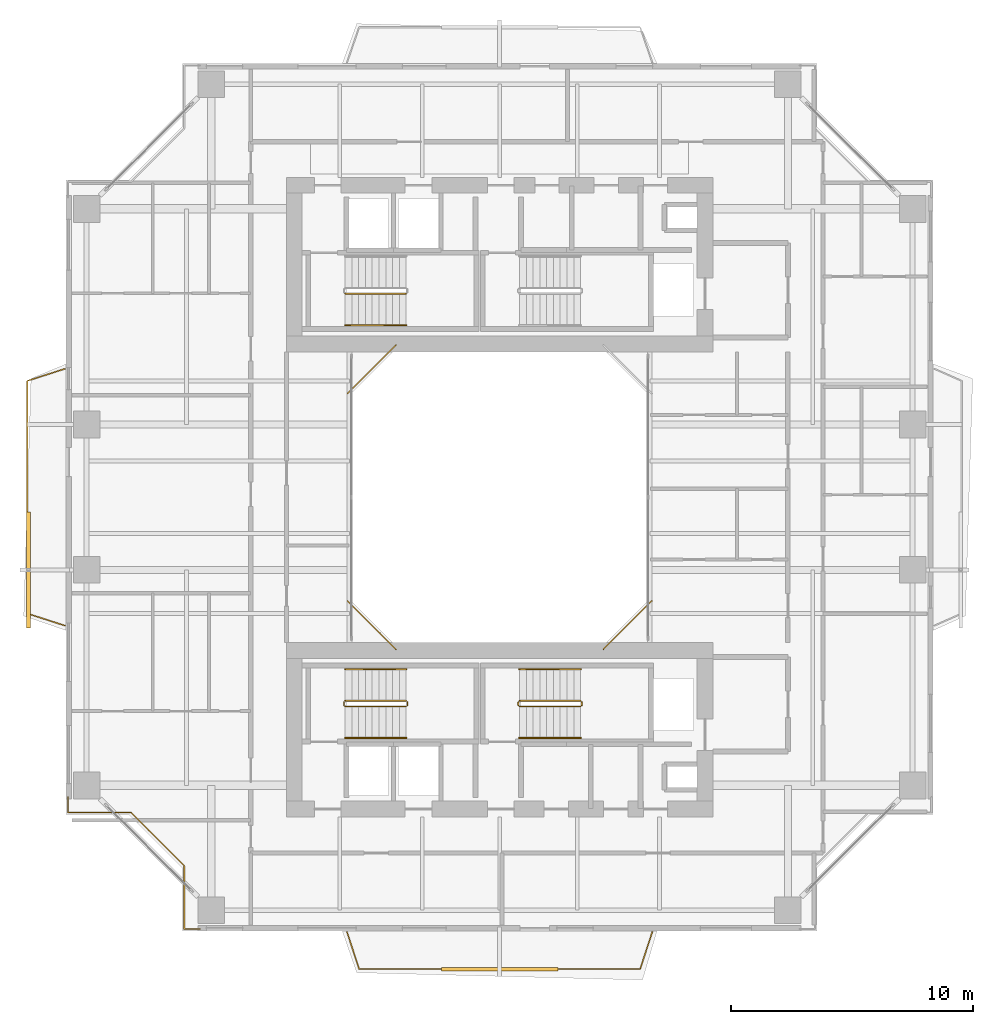
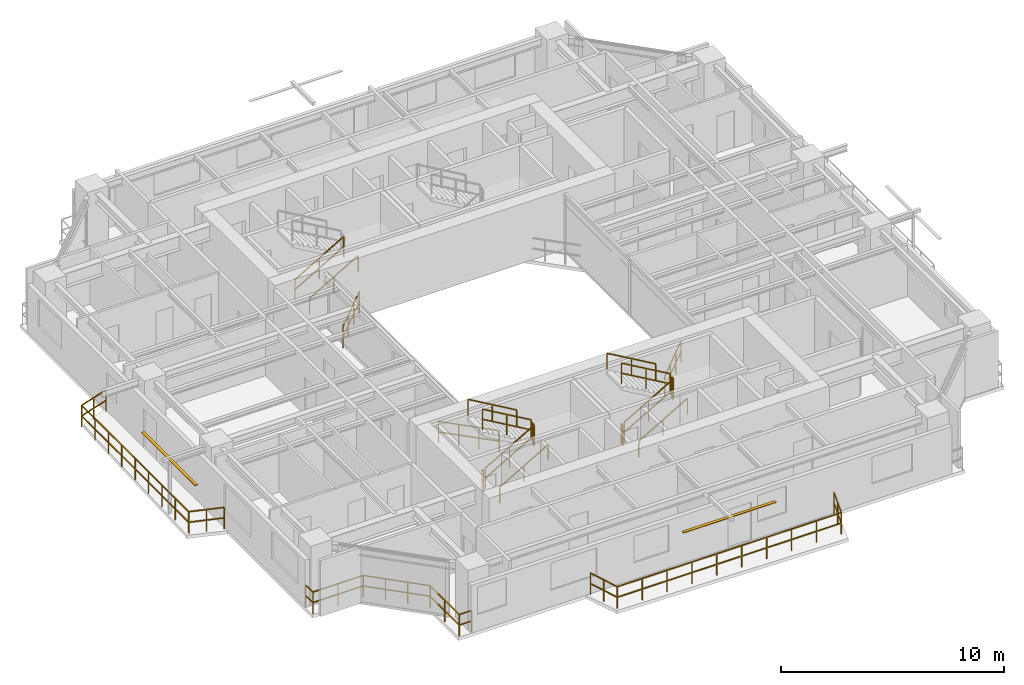
# One storey, part 15 of 17: 20 railings, 2 shading devices.
"""IFC4 building model written with IfcOpenShell, lengths in metres."""

import ifcopenshell
import ifcopenshell.guid

model = None  # the IFC model being written
_history = None  # IfcOwnerHistory: only IFC2X3 demands one
_inside = {}  # id of a spatial element -> (the spatial element, [elements in it])
_under = {}  # id of a project, library or spatial element -> (it, [spatial elements below it])
_declared = {}  # id of a project -> (the project, [libraries it declares])
_typed = {}  # id of a type object -> (the type object, [elements of that type])
_made_of = {}  # id of a material, layer set ... -> (it, [elements and type objects made of it])


def new_model(schema):
    """Start an empty IFC model of exactly this schema.

    Asked for "IFC4X3", IfcOpenShell would pick the latest addendum, in which some entities
    have other attributes; the version numbers below select the first issue.
    IFC2X3 requires an IfcOwnerHistory on every rooted entity: one is made here for all.
    """
    global model, _history
    if schema == "IFC4X3":
        model = ifcopenshell.file(schema_version=(4, 3, 0, 0))
    else:
        model = ifcopenshell.file(schema=schema)
    _inside.clear()
    _under.clear()
    _declared.clear()
    _typed.clear()
    _made_of.clear()
    _history = None
    if model.schema == "IFC2X3":
        org = make("IfcOrganization", Name="unknown")
        user = make(
            "IfcPersonAndOrganization",
            ThePerson=make("IfcPerson", FamilyName="unknown"),
            TheOrganization=org,
        )
        app = make(
            "IfcApplication",
            ApplicationDeveloper=org,
            Version="unknown",
            ApplicationFullName="unknown",
            ApplicationIdentifier="unknown",
        )
        _history = make(
            "IfcOwnerHistory",
            OwningUser=user,
            OwningApplication=app,
            ChangeAction="ADDED",
            CreationDate=0,
        )
    return model


def make(cls, **values):
    """One entity of the class cls with the attributes given. An attribute that is None is left unset."""
    return model.create_entity(
        cls, **{name: value for name, value in values.items() if value is not None}
    )


def rooted(cls, **values):
    """An entity with a GlobalId (a new one), such as an element, a storey or a relation."""
    return make(cls, GlobalId=ifcopenshell.guid.new(), OwnerHistory=_history, **values)


def si_unit(unit_type, name, prefix=None):
    """IfcSIUnit, for example si_unit("LENGTHUNIT", "METRE", prefix="MILLI")."""
    return make("IfcSIUnit", UnitType=unit_type, Prefix=prefix, Name=name)


def assignment(units):
    """IfcUnitAssignment: the units of a project."""
    return None if units is None else make("IfcUnitAssignment", Units=units)


def point(xyz):
    """IfcCartesianPoint."""
    return None if xyz is None else make("IfcCartesianPoint", Coordinates=xyz)


def direction(xyz):
    """IfcDirection."""
    return None if xyz is None else make("IfcDirection", DirectionRatios=xyz)


def frame(location, z_axis=None, x_axis=None):
    """IfcAxis2Placement3D, a coordinate frame: its origin and axes. An axis left out is left unset."""
    return make(
        "IfcAxis2Placement3D",
        Location=point(location),
        Axis=direction(z_axis),
        RefDirection=direction(x_axis),
    )


def frame_2d(location, x_axis=None):
    """IfcAxis2Placement2D, a coordinate frame in the plane: its origin and x axis."""
    return make(
        "IfcAxis2Placement2D", Location=point(location), RefDirection=direction(x_axis)
    )


def origin():
    """The frame at (0, 0, 0) with its axes left unset."""
    return frame((0.0, 0.0, 0.0))


def origin_2d():
    """The frame at (0, 0) in the plane with its x axis left unset."""
    return frame_2d((0.0, 0.0))


def place(relative_to, where):
    """IfcLocalPlacement: puts the frame where relative to a parent placement (None: the world)."""
    return make(
        "IfcLocalPlacement", PlacementRelTo=relative_to, RelativePlacement=where
    )


def context(
    kind, dimensions, precision=None, world=None, true_north=None, identifier=None
):
    """IfcGeometricRepresentationContext, for example the 3D "Model" context."""
    return make(
        "IfcGeometricRepresentationContext",
        ContextIdentifier=identifier,
        ContextType=kind,
        CoordinateSpaceDimension=dimensions,
        Precision=precision,
        WorldCoordinateSystem=world,
        TrueNorth=true_north,
    )


def subcontext(parent, identifier, kind, view, scale=None):
    """IfcGeometricRepresentationSubContext, for example "Body" below "Model"."""
    return make(
        "IfcGeometricRepresentationSubContext",
        ContextIdentifier=identifier,
        ContextType=kind,
        ParentContext=parent,
        TargetScale=scale,
        TargetView=view,
    )


def project(units=None, contexts=None):
    """IfcProject with its units and contexts."""
    return rooted(
        "IfcProject",
        Name="project",
        RepresentationContexts=contexts,
        UnitsInContext=assignment(units),
    )


def spatial(cls, under=None, at=None, **own):
    """A site, building, storey or space (cls), placed at a placement, below another one or the project."""
    s = rooted(cls, ObjectPlacement=at, **own)
    if under is not None:
        _under.setdefault(under.id(), (under, []))[1].append(s)
    return s


def profile(cls, at=None, kind="AREA", **sizes):
    """A parametric profile (cls). Its sizes go by their IFC names, for example OverallWidth=200.0."""
    return make(cls, ProfileType=kind, Position=at, **sizes)


def rectangle(**sizes):
    """IfcRectangleProfileDef."""
    return profile("IfcRectangleProfileDef", **sizes)


def extrude(swept, where, along, depth):
    """IfcExtrudedAreaSolid: the profile swept, set in the frame where, extruded along a direction by depth."""
    return make(
        "IfcExtrudedAreaSolid",
        SweptArea=swept,
        Position=where,
        ExtrudedDirection=direction(along),
        Depth=depth,
    )


def shape(context_of_items, identifier, shape_type, items):
    """IfcShapeRepresentation: the items that make up one representation, for example the "Body"."""
    return make(
        "IfcShapeRepresentation",
        ContextOfItems=context_of_items,
        RepresentationIdentifier=identifier,
        RepresentationType=shape_type,
        Items=items,
    )


def source(mapping_origin, context_of_items, identifier, shape_type, items):
    """IfcRepresentationMap: a shape defined once, which mapped items show again and again."""
    return make(
        "IfcRepresentationMap",
        MappingOrigin=mapping_origin,
        MappedRepresentation=shape(context_of_items, identifier, shape_type, items),
    )


def transform(
    local_origin,
    x_axis=None,
    y_axis=None,
    z_axis=None,
    scale=None,
    scale2=None,
    scale3=None,
    uniform=True,
):
    """IfcCartesianTransformationOperator3D, or its non-uniform kind. x_axis, y_axis, z_axis: its Axis1, 2, 3."""
    if uniform:
        return make(
            "IfcCartesianTransformationOperator3D",
            Axis1=direction(x_axis),
            Axis2=direction(y_axis),
            LocalOrigin=point(local_origin),
            Scale=scale,
            Axis3=direction(z_axis),
        )
    return make(
        "IfcCartesianTransformationOperator3DnonUniform",
        Axis1=direction(x_axis),
        Axis2=direction(y_axis),
        LocalOrigin=point(local_origin),
        Scale=scale,
        Axis3=direction(z_axis),
        Scale2=scale2,
        Scale3=scale3,
    )


def mapped(mapping_source, mapping_target):
    """IfcMappedItem: shows the shape of a source again, moved by a transform."""
    return make(
        "IfcMappedItem", MappingSource=mapping_source, MappingTarget=mapping_target
    )


def material(Name=None, Category=None):
    """IfcMaterial."""
    return make("IfcMaterial", Name=Name, Category=Category)


def material_profile(
    of_material, cross_section, Name=None, Category=None, Priority=None
):
    """IfcMaterialProfile: a cross section and its material."""
    return make(
        "IfcMaterialProfile",
        Name=Name,
        Material=of_material,
        Profile=cross_section,
        Priority=Priority,
        Category=Category,
    )


def profile_set(profiles, Name=None, composite=None):
    """IfcMaterialProfileSet."""
    return make(
        "IfcMaterialProfileSet",
        Name=Name,
        MaterialProfiles=profiles,
        CompositeProfile=composite,
    )


def made_of(thing, what):
    """Note that an element or type object is made of a material, layer set ...; save() writes the relation."""
    if what is not None:
        _made_of.setdefault(what.id(), (what, []))[1].append(thing)
    return thing


def type_object(cls, material=None, **own):
    """A type object (cls), such as IfcWallType, which elements share."""
    return made_of(rooted(cls, **own), material)


def element(
    cls,
    number,
    at=None,
    inside=None,
    cuts=None,
    type_object=None,
    material=None,
    context=None,
    identifier="Body",
    shape_type=None,
    held_by="IfcProductDefinitionShape",
    body=None,
    shapes=None,
    **own,
):
    """One element of the class cls, such as IfcWall. Its Tag is "e" and its number.

    at: its placement. inside: the storey or other place that contains it. cuts: it is an
    opening in that element (IfcRelVoidsElement). A single representation is given by context,
    identifier, shape_type and body (its items); several are given by shapes. held_by: the class
    of the entity that holds the representations. save() writes the other relations.
    """
    e = rooted(cls, Tag="e%d" % number, ObjectPlacement=at, **own)
    if body is not None:
        shapes = [shape(context, identifier, shape_type, body)]
    if shapes is not None:
        e.Representation = make(held_by, Representations=shapes)
    if inside is not None:
        _inside.setdefault(inside.id(), (inside, []))[1].append(e)
    if cuts is not None:
        rooted(
            "IfcRelVoidsElement", RelatingBuildingElement=cuts, RelatedOpeningElement=e
        )
    if type_object is not None:
        _typed.setdefault(type_object.id(), (type_object, []))[1].append(e)
    return made_of(e, material)


def aggregate(whole, parts):
    """IfcRelAggregates: a whole, such as a stair, and the parts it consists of."""
    return rooted("IfcRelAggregates", RelatingObject=whole, RelatedObjects=parts)


def save(model, path):
    """Write the relations noted so far, then the file.

    IfcRelAggregates (storeys below a building ...), IfcRelContainedInSpatialStructure (elements
    in a storey), IfcRelDefinesByType, IfcRelAssociatesMaterial and IfcRelDeclares: one each for
    every whole, place, type object, material and project.
    """
    for whole, parts in _under.values():
        aggregate(whole, parts)
    for where, things in _inside.values():
        rooted(
            "IfcRelContainedInSpatialStructure",
            RelatedElements=things,
            RelatingStructure=where,
        )
    for kind, things in _typed.values():
        rooted("IfcRelDefinesByType", RelatedObjects=things, RelatingType=kind)
    for what, things in _made_of.values():
        rooted("IfcRelAssociatesMaterial", RelatedObjects=things, RelatingMaterial=what)
    for by, libraries in _declared.values():
        rooted("IfcRelDeclares", RelatingContext=by, RelatedDefinitions=libraries)
    model.write(path)


model = new_model("IFC4")

# Units and contexts
model_context = context("Model", 3, precision=1e-05, world=origin(), true_north=direction((0.0, 1.0)))
body_context = subcontext(model_context, "Body", "Model", "MODEL_VIEW")
ifc_project = project(units=[si_unit("LENGTHUNIT", "METRE"), si_unit("AREAUNIT", "SQUARE_METRE"), si_unit("VOLUMEUNIT", "CUBIC_METRE"), si_unit("PLANEANGLEUNIT", "RADIAN"), si_unit("MASSUNIT", "GRAM", prefix="KILO"), si_unit("THERMODYNAMICTEMPERATUREUNIT", "KELVIN"), si_unit("POWERUNIT", "WATT")], contexts=[model_context])

# Site, building, storey
site_placement = place(None, origin())
site = spatial("IfcSite", under=ifc_project, at=site_placement, CompositionType="ELEMENT")
building_placement = place(site_placement, origin())
building = spatial("IfcBuilding", under=site, at=building_placement, Name="Qiaomeng Ring Towers", CompositionType="ELEMENT")
storey_placement = place(building_placement, frame((0.0, 0.0, 129.5)))
storey = spatial("IfcBuildingStorey", under=building, at=storey_placement, Name="L37", CompositionType="ELEMENT", Elevation=129.5)

# Railings
ifc_material_1 = material(Name="Low-E pale-green laminated safety glass", Category="glass")
railing_type_1 = type_object("IfcRailingType", Name="ARC-RL-BAL1", PredefinedType="BALUSTRADE", material=ifc_material_1)
railing_1_placement = place(storey_placement, frame((23.280029296875, 16.719970703125, 0.0)))
element("IfcRailing", 1, at=railing_1_placement, inside=storey, type_object=railing_type_1, Name="L37 Balustrade ARC-BAL-WELL1-L37-1", PredefinedType="BALUSTRADE", context=body_context, shape_type="SweptSolid", body=[
    extrude(rectangle(XDim=0.048095703125, YDim=0.048095703125, at=origin_2d()), frame((0.0, 0.0, 1.17578125), z_axis=(0.707106781187, 0.707106781187, 0.0), x_axis=(-0.707106781187, 0.707106781187, 0.0)), (0.0, 0.0, 1.0), 2.828369140625),
    extrude(rectangle(XDim=0.048095703125, YDim=0.048095703125, at=origin_2d()), frame((0.0, 0.0, 0.60009765625), z_axis=(0.707106781187, 0.707106781187, 0.0), x_axis=(-0.707106781187, 0.707106781187, 0.0)), (0.0, 0.0, 1.0), 2.828369140625),
    extrude(rectangle(XDim=0.0419921875, YDim=0.0419921875, at=origin_2d()), origin(), (0.0, 0.0, 1.0), 1.15185546875),
    extrude(rectangle(XDim=0.0419921875, YDim=0.0419921875, at=origin_2d()), frame((0.666748046875, 0.666748046875, 0.0)), (0.0, 0.0, 1.0), 1.15185546875),
    extrude(rectangle(XDim=0.0419921875, YDim=0.0419921875, at=origin_2d()), frame((1.333251953125, 1.333251953125, 0.0)), (0.0, 0.0, 1.0), 1.15185546875),
    extrude(rectangle(XDim=0.0419921875, YDim=0.0419921875, at=origin_2d()), frame((2.0, 2.0, 0.0)), (0.0, 0.0, 1.0), 1.15185546875),
])
railing_2_placement = place(storey_placement, frame((14.719970703125, 29.280029296875, 0.0)))
element("IfcRailing", 2, at=railing_2_placement, inside=storey, type_object=railing_type_1, Name="L37 Balustrade ARC-BAL-WELL1-L37-3", PredefinedType="BALUSTRADE", context=body_context, shape_type="SweptSolid", body=[
    extrude(rectangle(XDim=0.048095703125, YDim=0.048095703125, at=origin_2d()), frame((0.0, 0.0, 1.17578125), z_axis=(-0.707106781187, -0.707106781187, 0.0), x_axis=(0.707106781187, -0.707106781187, 0.0)), (0.0, 0.0, 1.0), 2.828369140625),
    extrude(rectangle(XDim=0.048095703125, YDim=0.048095703125, at=origin_2d()), frame((0.0, 0.0, 0.60009765625), z_axis=(-0.707106781187, -0.707106781187, 0.0), x_axis=(0.707106781187, -0.707106781187, 0.0)), (0.0, 0.0, 1.0), 2.828369140625),
    extrude(rectangle(XDim=0.0419921875, YDim=0.0419921875, at=origin_2d()), origin(), (0.0, 0.0, 1.0), 1.15185546875),
    extrude(rectangle(XDim=0.0419921875, YDim=0.0419921875, at=origin_2d()), frame((-0.666748046875, -0.666748046875, 0.0)), (0.0, 0.0, 1.0), 1.15185546875),
    extrude(rectangle(XDim=0.0419921875, YDim=0.0419921875, at=origin_2d()), frame((-1.333251953125, -1.333251953125, 0.0)), (0.0, 0.0, 1.0), 1.15185546875),
    extrude(rectangle(XDim=0.0419921875, YDim=0.0419921875, at=origin_2d()), frame((-2.0, -2.0, 0.0)), (0.0, 0.0, 1.0), 1.15185546875),
])
railing_3_placement = place(storey_placement, frame((12.719970703125, 18.719970703125, 0.0)))
element("IfcRailing", 3, at=railing_3_placement, inside=storey, type_object=railing_type_1, Name="L37 Balustrade ARC-BAL-WELL1-L37-4", PredefinedType="BALUSTRADE", context=body_context, shape_type="SweptSolid", body=[
    extrude(rectangle(XDim=0.048095703125, YDim=0.048095703125, at=origin_2d()), frame((0.0, 0.0, 1.17578125), z_axis=(0.707106781187, -0.707106781187, 0.0), x_axis=(0.707106781187, 0.707106781187, 0.0)), (0.0, 0.0, 1.0), 2.828369140625),
    extrude(rectangle(XDim=0.048095703125, YDim=0.048095703125, at=origin_2d()), frame((0.0, 0.0, 0.60009765625), z_axis=(0.707106781187, -0.707106781187, 0.0), x_axis=(0.707106781187, 0.707106781187, 0.0)), (0.0, 0.0, 1.0), 2.828369140625),
    extrude(rectangle(XDim=0.0419921875, YDim=0.0419921875, at=origin_2d()), origin(), (0.0, 0.0, 1.0), 1.15185546875),
    extrude(rectangle(XDim=0.0419921875, YDim=0.0419921875, at=origin_2d()), frame((0.666748046875, -0.666748046875, 0.0)), (0.0, 0.0, 1.0), 1.15185546875),
    extrude(rectangle(XDim=0.0419921875, YDim=0.0419921875, at=origin_2d()), frame((1.333251953125, -1.333251953125, 0.0)), (0.0, 0.0, 1.0), 1.15185546875),
    extrude(rectangle(XDim=0.0419921875, YDim=0.0419921875, at=origin_2d()), frame((2.0, -2.0, 0.0)), (0.0, 0.0, 1.0), 1.15185546875),
])
railing_4_placement = place(storey_placement, frame((1.179931640625, 10.6298828125, 0.0)))
element("IfcRailing", 4, at=railing_4_placement, inside=storey, type_object=railing_type_1, Name="L37 Balustrade ARC-BAL-NOTCH1-L37-SW", PredefinedType="BALUSTRADE", context=body_context, shape_type="SweptSolid", body=[
    extrude(rectangle(XDim=0.048095703125, YDim=0.048095703125, at=origin_2d()), frame((0.0, 0.0, 1.17578125), z_axis=(0.0, -1.0, 0.0), x_axis=(1.0, 0.0, 0.0)), (0.0, 0.0, 1.0), 0.64990234375),
    extrude(rectangle(XDim=0.048095703125, YDim=0.048095703125, at=origin_2d()), frame((0.0, 0.0, 0.60009765625), z_axis=(0.0, -1.0, 0.0), x_axis=(1.0, 0.0, 0.0)), (0.0, 0.0, 1.0), 0.64990234375),
    extrude(rectangle(XDim=0.048095703125, YDim=0.048095703125, at=origin_2d()), frame((0.0, -0.64990234375, 1.17578125), z_axis=(1.0, 0.0, 0.0), x_axis=(0.0, 1.0, 0.0)), (0.0, 0.0, 1.0), 2.60009765625),
    extrude(rectangle(XDim=0.048095703125, YDim=0.048095703125, at=origin_2d()), frame((0.0, -0.64990234375, 0.60009765625), z_axis=(1.0, 0.0, 0.0), x_axis=(0.0, 1.0, 0.0)), (0.0, 0.0, 1.0), 2.60009765625),
    extrude(rectangle(XDim=0.048095703125, YDim=0.048095703125, at=origin_2d()), frame((2.60009765625, -0.64990234375, 1.17578125), z_axis=(0.707106781187, -0.707106781187, 0.0), x_axis=(0.707106781187, 0.707106781187, 0.0)), (0.0, 0.0, 1.0), 3.111083984375),
    extrude(rectangle(XDim=0.048095703125, YDim=0.048095703125, at=origin_2d()), frame((2.60009765625, -0.64990234375, 0.60009765625), z_axis=(0.707106781187, -0.707106781187, 0.0), x_axis=(0.707106781187, 0.707106781187, 0.0)), (0.0, 0.0, 1.0), 3.111083984375),
    extrude(rectangle(XDim=0.048095703125, YDim=0.048095703125, at=origin_2d()), frame((4.800048828125, -2.849853515625, 1.17578125), z_axis=(0.0, -1.0, 0.0), x_axis=(1.0, 0.0, 0.0)), (0.0, 0.0, 1.0), 2.60009765625),
    extrude(rectangle(XDim=0.048095703125, YDim=0.048095703125, at=origin_2d()), frame((4.800048828125, -2.849853515625, 0.60009765625), z_axis=(0.0, -1.0, 0.0), x_axis=(1.0, 0.0, 0.0)), (0.0, 0.0, 1.0), 2.60009765625),
    extrude(rectangle(XDim=0.048095703125, YDim=0.048095703125, at=origin_2d()), frame((4.800048828125, -5.449951171875, 1.17578125), z_axis=(1.0, 0.0, 0.0), x_axis=(0.0, 1.0, 0.0)), (0.0, 0.0, 1.0), 0.64990234375),
    extrude(rectangle(XDim=0.048095703125, YDim=0.048095703125, at=origin_2d()), frame((4.800048828125, -5.449951171875, 0.60009765625), z_axis=(1.0, 0.0, 0.0), x_axis=(0.0, 1.0, 0.0)), (0.0, 0.0, 1.0), 0.64990234375),
    extrude(rectangle(XDim=0.0419921875, YDim=0.0419921875, at=origin_2d()), origin(), (0.0, 0.0, 1.0), 1.15185546875),
    extrude(rectangle(XDim=0.0419921875, YDim=0.0419921875, at=origin_2d()), frame((0.0, -0.64990234375, 0.0)), (0.0, 0.0, 1.0), 1.15185546875),
    extrude(rectangle(XDim=0.0419921875, YDim=0.0419921875, at=origin_2d()), frame((1.300048828125, -0.64990234375, 0.0)), (0.0, 0.0, 1.0), 1.15185546875),
    extrude(rectangle(XDim=0.0419921875, YDim=0.0419921875, at=origin_2d()), frame((2.60009765625, -0.64990234375, 0.0)), (0.0, 0.0, 1.0), 1.15185546875),
    extrude(rectangle(XDim=0.0419921875, YDim=0.0419921875, at=origin_2d()), frame((3.33349609375, -1.38330078125, 0.0)), (0.0, 0.0, 1.0), 1.15185546875),
    extrude(rectangle(XDim=0.0419921875, YDim=0.0419921875, at=origin_2d()), frame((4.066650390625, -2.116455078125, 0.0)), (0.0, 0.0, 1.0), 1.15185546875),
    extrude(rectangle(XDim=0.0419921875, YDim=0.0419921875, at=origin_2d()), frame((4.800048828125, -2.849853515625, 0.0)), (0.0, 0.0, 1.0), 1.15185546875),
    extrude(rectangle(XDim=0.0419921875, YDim=0.0419921875, at=origin_2d()), frame((4.800048828125, -4.14990234375, 0.0)), (0.0, 0.0, 1.0), 1.15185546875),
    extrude(rectangle(XDim=0.0419921875, YDim=0.0419921875, at=origin_2d()), frame((4.800048828125, -5.449951171875, 0.0)), (0.0, 0.0, 1.0), 1.15185546875),
    extrude(rectangle(XDim=0.0419921875, YDim=0.0419921875, at=origin_2d()), frame((5.449951171875, -5.449951171875, 0.0)), (0.0, 0.0, 1.0), 1.15185546875),
])
railing_5_placement = place(storey_placement, frame((12.699951171875, 5.050048828125, 0.0)))
element("IfcRailing", 5, at=railing_5_placement, inside=storey, type_object=railing_type_1, Name="L37 Balustrade ARC-BAL-L37-T1-S", PredefinedType="BALUSTRADE", context=body_context, shape_type="SweptSolid", body=[
    extrude(rectangle(XDim=0.048095703125, YDim=0.048095703125, at=origin_2d()), frame((0.0, 0.0, 1.17578125), z_axis=(0.310625543041, -0.950532362421, 0.0), x_axis=(0.950532362421, 0.310625543041, 0.0)), (0.0, 0.0, 1.0), 1.609619140625),
    extrude(rectangle(XDim=0.048095703125, YDim=0.048095703125, at=origin_2d()), frame((0.0, 0.0, 0.60009765625), z_axis=(0.310625543041, -0.950532362421, 0.0), x_axis=(0.950532362421, 0.310625543041, 0.0)), (0.0, 0.0, 1.0), 1.609619140625),
    extrude(rectangle(XDim=0.048095703125, YDim=0.048095703125, at=origin_2d()), frame((0.5, -1.530029296875, 1.17578125), z_axis=(1.0, 0.0, 0.0), x_axis=(0.0, 1.0, 0.0)), (0.0, 0.0, 1.0), 11.60009765625),
    extrude(rectangle(XDim=0.048095703125, YDim=0.048095703125, at=origin_2d()), frame((0.5, -1.530029296875, 0.60009765625), z_axis=(1.0, 0.0, 0.0), x_axis=(0.0, 1.0, 0.0)), (0.0, 0.0, 1.0), 11.60009765625),
    extrude(rectangle(XDim=0.048095703125, YDim=0.048095703125, at=origin_2d()), frame((12.10009765625, -1.530029296875, 1.17578125), z_axis=(0.310625543041, 0.950532362421, 0.0), x_axis=(-0.950532362421, 0.310625543041, 0.0)), (0.0, 0.0, 1.0), 1.609619140625),
    extrude(rectangle(XDim=0.048095703125, YDim=0.048095703125, at=origin_2d()), frame((12.10009765625, -1.530029296875, 0.60009765625), z_axis=(0.310625543041, 0.950532362421, 0.0), x_axis=(-0.950532362421, 0.310625543041, 0.0)), (0.0, 0.0, 1.0), 1.609619140625),
    extrude(rectangle(XDim=0.0419921875, YDim=0.0419921875, at=origin_2d()), origin(), (0.0, 0.0, 1.0), 1.15185546875),
    extrude(rectangle(XDim=0.0419921875, YDim=0.0419921875, at=origin_2d()), frame((0.25, -0.76513671875, 0.0)), (0.0, 0.0, 1.0), 1.15185546875),
    extrude(rectangle(XDim=0.0419921875, YDim=0.0419921875, at=origin_2d()), frame((0.5, -1.530029296875, 0.0)), (0.0, 0.0, 1.0), 1.15185546875),
    extrude(rectangle(XDim=0.0419921875, YDim=0.0419921875, at=origin_2d()), frame((1.788818359375, -1.530029296875, 0.0)), (0.0, 0.0, 1.0), 1.15185546875),
    extrude(rectangle(XDim=0.0419921875, YDim=0.0419921875, at=origin_2d()), frame((3.077880859375, -1.530029296875, 0.0)), (0.0, 0.0, 1.0), 1.15185546875),
    extrude(rectangle(XDim=0.0419921875, YDim=0.0419921875, at=origin_2d()), frame((4.36669921875, -1.530029296875, 0.0)), (0.0, 0.0, 1.0), 1.15185546875),
    extrude(rectangle(XDim=0.0419921875, YDim=0.0419921875, at=origin_2d()), frame((5.655517578125, -1.530029296875, 0.0)), (0.0, 0.0, 1.0), 1.15185546875),
    extrude(rectangle(XDim=0.0419921875, YDim=0.0419921875, at=origin_2d()), frame((6.944580078125, -1.530029296875, 0.0)), (0.0, 0.0, 1.0), 1.15185546875),
    extrude(rectangle(XDim=0.0419921875, YDim=0.0419921875, at=origin_2d()), frame((8.2333984375, -1.530029296875, 0.0)), (0.0, 0.0, 1.0), 1.15185546875),
    extrude(rectangle(XDim=0.0419921875, YDim=0.0419921875, at=origin_2d()), frame((9.522216796875, -1.530029296875, 0.0)), (0.0, 0.0, 1.0), 1.15185546875),
    extrude(rectangle(XDim=0.0419921875, YDim=0.0419921875, at=origin_2d()), frame((10.811279296875, -1.530029296875, 0.0)), (0.0, 0.0, 1.0), 1.15185546875),
    extrude(rectangle(XDim=0.0419921875, YDim=0.0419921875, at=origin_2d()), frame((12.10009765625, -1.530029296875, 0.0)), (0.0, 0.0, 1.0), 1.15185546875),
    extrude(rectangle(XDim=0.0419921875, YDim=0.0419921875, at=origin_2d()), frame((12.35009765625, -0.76513671875, 0.0)), (0.0, 0.0, 1.0), 1.15185546875),
    extrude(rectangle(XDim=0.0419921875, YDim=0.0419921875, at=origin_2d()), frame((12.60009765625, 0.0, 0.0)), (0.0, 0.0, 1.0), 1.15185546875),
])
railing_6_placement = place(storey_placement, frame((1.050048828125, 17.699951171875, 0.0)))
element("IfcRailing", 6, at=railing_6_placement, inside=storey, type_object=railing_type_1, Name="L37 Balustrade ARC-BAL-L37-T1-W", PredefinedType="BALUSTRADE", context=body_context, shape_type="SweptSolid", body=[
    extrude(rectangle(XDim=0.048095703125, YDim=0.048095703125, at=origin_2d()), frame((0.0, 0.0, 1.17578125), z_axis=(-0.951711443346, 0.306994020471, 0.0), x_axis=(-0.306994020471, -0.951711443346, 0.0)), (0.0, 0.0, 1.0), 1.628662109375),
    extrude(rectangle(XDim=0.048095703125, YDim=0.048095703125, at=origin_2d()), frame((0.0, 0.0, 0.60009765625), z_axis=(-0.951711443346, 0.306994020471, 0.0), x_axis=(-0.306994020471, -0.951711443346, 0.0)), (0.0, 0.0, 1.0), 1.628662109375),
    extrude(rectangle(XDim=0.048095703125, YDim=0.048095703125, at=origin_2d()), frame((-1.550048828125, 0.5, 1.17578125), z_axis=(0.0, 1.0, 0.0), x_axis=(-1.0, 0.0, 0.0)), (0.0, 0.0, 1.0), 9.60009765625),
    extrude(rectangle(XDim=0.048095703125, YDim=0.048095703125, at=origin_2d()), frame((-1.550048828125, 0.5, 0.60009765625), z_axis=(0.0, 1.0, 0.0), x_axis=(-1.0, 0.0, 0.0)), (0.0, 0.0, 1.0), 9.60009765625),
    extrude(rectangle(XDim=0.048095703125, YDim=0.048095703125, at=origin_2d()), frame((-1.550048828125, 10.10009765625, 1.17578125), z_axis=(0.951711443346, 0.306994020471, 0.0), x_axis=(-0.306994020471, 0.951711443346, 0.0)), (0.0, 0.0, 1.0), 1.628662109375),
    extrude(rectangle(XDim=0.048095703125, YDim=0.048095703125, at=origin_2d()), frame((-1.550048828125, 10.10009765625, 0.60009765625), z_axis=(0.951711443346, 0.306994020471, 0.0), x_axis=(-0.306994020471, 0.951711443346, 0.0)), (0.0, 0.0, 1.0), 1.628662109375),
    extrude(rectangle(XDim=0.0419921875, YDim=0.0419921875, at=origin_2d()), origin(), (0.0, 0.0, 1.0), 1.15185546875),
    extrude(rectangle(XDim=0.0419921875, YDim=0.0419921875, at=origin_2d()), frame((-0.77490234375, 0.25, 0.0)), (0.0, 0.0, 1.0), 1.15185546875),
    extrude(rectangle(XDim=0.0419921875, YDim=0.0419921875, at=origin_2d()), frame((-1.550048828125, 0.5, 0.0)), (0.0, 0.0, 1.0), 1.15185546875),
    extrude(rectangle(XDim=0.0419921875, YDim=0.0419921875, at=origin_2d()), frame((-1.550048828125, 1.699951171875, 0.0)), (0.0, 0.0, 1.0), 1.15185546875),
    extrude(rectangle(XDim=0.0419921875, YDim=0.0419921875, at=origin_2d()), frame((-1.550048828125, 2.89990234375, 0.0)), (0.0, 0.0, 1.0), 1.15185546875),
    extrude(rectangle(XDim=0.0419921875, YDim=0.0419921875, at=origin_2d()), frame((-1.550048828125, 4.10009765625, 0.0)), (0.0, 0.0, 1.0), 1.15185546875),
    extrude(rectangle(XDim=0.0419921875, YDim=0.0419921875, at=origin_2d()), frame((-1.550048828125, 5.300048828125, 0.0)), (0.0, 0.0, 1.0), 1.15185546875),
    extrude(rectangle(XDim=0.0419921875, YDim=0.0419921875, at=origin_2d()), frame((-1.550048828125, 6.5, 0.0)), (0.0, 0.0, 1.0), 1.15185546875),
    extrude(rectangle(XDim=0.0419921875, YDim=0.0419921875, at=origin_2d()), frame((-1.550048828125, 7.7001953125, 0.0)), (0.0, 0.0, 1.0), 1.15185546875),
    extrude(rectangle(XDim=0.0419921875, YDim=0.0419921875, at=origin_2d()), frame((-1.550048828125, 8.900146484375, 0.0)), (0.0, 0.0, 1.0), 1.15185546875),
    extrude(rectangle(XDim=0.0419921875, YDim=0.0419921875, at=origin_2d()), frame((-1.550048828125, 10.10009765625, 0.0)), (0.0, 0.0, 1.0), 1.15185546875),
    extrude(rectangle(XDim=0.0419921875, YDim=0.0419921875, at=origin_2d()), frame((-0.77490234375, 10.35009765625, 0.0)), (0.0, 0.0, 1.0), 1.15185546875),
    extrude(rectangle(XDim=0.0419921875, YDim=0.0419921875, at=origin_2d()), frame((0.0, 10.60009765625, 0.0)), (0.0, 0.0, 1.0), 1.15185546875),
])
ifc_material_2 = material(Name="Galvanised steel", Category="steel")
railing_type_2 = type_object("IfcRailingType", Name="ARC-RL-GUARD", PredefinedType="GUARDRAIL", material=ifc_material_2)
for number, where, name in (
    (7, (12.6201171875, 31.39990234375, 0.16259765625), "L37 ST1 stair guard 1"),
    (8, (12.6201171875, 14.360107421875, 0.16259765625), "L37 ST3 stair guard 1"),
):
    element("IfcRailing", number, at=place(storey_placement, frame(where)), inside=storey, type_object=railing_type_2, Name=name, PredefinedType="GUARDRAIL", context=body_context, shape_type="SweptSolid", body=[
        extrude(rectangle(XDim=0.048095703125, YDim=0.048095703125, at=origin_2d()), frame((0.0, 0.0, 1.1259765625), z_axis=(0.864892226395, 0.0, 0.501957604506), x_axis=(0.0, 1.0, 0.0)), (0.0, 0.0, 1.0), 2.913330078125),
        extrude(rectangle(XDim=0.048095703125, YDim=0.048095703125, at=origin_2d()), frame((0.0, 0.0, 0.574951171875), z_axis=(0.864892226395, 0.0, 0.501957604506), x_axis=(0.0, 1.0, 0.0)), (0.0, 0.0, 1.0), 2.913330078125),
        extrude(rectangle(XDim=0.0419921875, YDim=0.0419921875, at=origin_2d()), origin(), (0.0, 0.0, 1.0), 1.101806640625),
        extrude(rectangle(XDim=0.0419921875, YDim=0.0419921875, at=origin_2d()), frame((1.259765625, 0.0, 0.731201171875)), (0.0, 0.0, 1.0), 1.101806640625),
        extrude(rectangle(XDim=0.0419921875, YDim=0.0419921875, at=origin_2d()), frame((2.519775390625, 0.0, 1.46240234375)), (0.0, 0.0, 1.0), 1.101806640625),
    ])
railing_7_placement = place(storey_placement, frame((15.18994140625, 14.409912109375, 1.625)))
element("IfcRailing", 9, at=railing_7_placement, inside=storey, type_object=railing_type_2, Name="L37 ST3 stair guard 2", PredefinedType="GUARDRAIL", context=body_context, shape_type="SweptSolid", body=[
    extrude(rectangle(XDim=0.048095703125, YDim=0.048095703125, at=origin_2d()), frame((0.0, 0.0, 1.1259765625), z_axis=(0.0, 1.0, 0.0), x_axis=(-1.0, 0.0, 0.0)), (0.0, 0.0, 1.0), 0.14013671875),
    extrude(rectangle(XDim=0.048095703125, YDim=0.048095703125, at=origin_2d()), frame((0.0, 0.0, 0.574951171875), z_axis=(0.0, 1.0, 0.0), x_axis=(-1.0, 0.0, 0.0)), (0.0, 0.0, 1.0), 0.14013671875),
    extrude(rectangle(XDim=0.0419921875, YDim=0.0419921875, at=origin_2d()), origin(), (0.0, 0.0, 1.0), 1.101806640625),
    extrude(rectangle(XDim=0.0419921875, YDim=0.0419921875, at=origin_2d()), frame((0.0, 0.14013671875, 0.0)), (0.0, 0.0, 1.0), 1.101806640625),
])
railing_8_placement = place(storey_placement, frame((15.139892578125, 14.60009765625, 1.78759765625)))
element("IfcRailing", 10, at=railing_8_placement, inside=storey, type_object=railing_type_2, Name="L37 ST3 stair guard 3", PredefinedType="GUARDRAIL", context=body_context, shape_type="SweptSolid", body=[
    extrude(rectangle(XDim=0.048095703125, YDim=0.048095703125, at=origin_2d()), frame((0.0, 0.0, 1.1259765625), z_axis=(-0.864892226395, 0.0, 0.501957604506), x_axis=(0.0, -1.0, 0.0)), (0.0, 0.0, 1.0), 2.913330078125),
    extrude(rectangle(XDim=0.048095703125, YDim=0.048095703125, at=origin_2d()), frame((0.0, 0.0, 0.574951171875), z_axis=(-0.864892226395, 0.0, 0.501957604506), x_axis=(0.0, -1.0, 0.0)), (0.0, 0.0, 1.0), 2.913330078125),
    extrude(rectangle(XDim=0.0419921875, YDim=0.0419921875, at=origin_2d()), origin(), (0.0, 0.0, 1.0), 1.101806640625),
    extrude(rectangle(XDim=0.0419921875, YDim=0.0419921875, at=origin_2d()), frame((-1.259765625, 0.0, 0.731201171875)), (0.0, 0.0, 1.0), 1.101806640625),
    extrude(rectangle(XDim=0.0419921875, YDim=0.0419921875, at=origin_2d()), frame((-2.519775390625, 0.0, 1.46240234375)), (0.0, 0.0, 1.0), 1.101806640625),
])
railing_9_placement = place(storey_placement, frame((12.570068359375, 14.409912109375, 0.0)))
element("IfcRailing", 11, at=railing_9_placement, inside=storey, type_object=railing_type_2, Name="L37 ST3 stair guard 4", PredefinedType="GUARDRAIL", context=body_context, shape_type="SweptSolid", body=[
    extrude(rectangle(XDim=0.048095703125, YDim=0.048095703125, at=origin_2d()), frame((0.0, 0.0, 1.1259765625), z_axis=(0.0, 1.0, 0.0), x_axis=(-1.0, 0.0, 0.0)), (0.0, 0.0, 1.0), 0.14013671875),
    extrude(rectangle(XDim=0.048095703125, YDim=0.048095703125, at=origin_2d()), frame((0.0, 0.0, 0.574951171875), z_axis=(0.0, 1.0, 0.0), x_axis=(-1.0, 0.0, 0.0)), (0.0, 0.0, 1.0), 0.14013671875),
    extrude(rectangle(XDim=0.0419921875, YDim=0.0419921875, at=origin_2d()), origin(), (0.0, 0.0, 1.0), 1.101806640625),
    extrude(rectangle(XDim=0.0419921875, YDim=0.0419921875, at=origin_2d()), frame((0.0, 0.14013671875, 0.0)), (0.0, 0.0, 1.0), 1.101806640625),
])
railing_10_placement = place(storey_placement, frame((19.820068359375, 14.360107421875, 0.16259765625)))
element("IfcRailing", 12, at=railing_10_placement, inside=storey, type_object=railing_type_2, Name="L37 ST4 stair guard 1", PredefinedType="GUARDRAIL", context=body_context, shape_type="SweptSolid", body=[
    extrude(rectangle(XDim=0.048095703125, YDim=0.048095703125, at=origin_2d()), frame((0.0, 0.0, 1.1259765625), z_axis=(0.864913338283, 0.0, 0.50192122615), x_axis=(0.0, 1.0, 0.0)), (0.0, 0.0, 1.0), 2.91357421875),
    extrude(rectangle(XDim=0.048095703125, YDim=0.048095703125, at=origin_2d()), frame((0.0, 0.0, 0.574951171875), z_axis=(0.864913338283, 0.0, 0.50192122615), x_axis=(0.0, 1.0, 0.0)), (0.0, 0.0, 1.0), 2.91357421875),
    extrude(rectangle(XDim=0.0419921875, YDim=0.0419921875, at=origin_2d()), origin(), (0.0, 0.0, 1.0), 1.101806640625),
    extrude(rectangle(XDim=0.0419921875, YDim=0.0419921875, at=origin_2d()), frame((1.260009765625, 0.0, 0.731201171875)), (0.0, 0.0, 1.0), 1.101806640625),
    extrude(rectangle(XDim=0.0419921875, YDim=0.0419921875, at=origin_2d()), frame((2.52001953125, 0.0, 1.46240234375)), (0.0, 0.0, 1.0), 1.101806640625),
])
railing_11_placement = place(storey_placement, frame((22.389892578125, 14.409912109375, 1.625)))
element("IfcRailing", 13, at=railing_11_placement, inside=storey, type_object=railing_type_2, Name="L37 ST4 stair guard 2", PredefinedType="GUARDRAIL", context=body_context, shape_type="SweptSolid", body=[
    extrude(rectangle(XDim=0.048095703125, YDim=0.048095703125, at=origin_2d()), frame((0.0, 0.0, 1.1259765625), z_axis=(0.0, 1.0, 0.0), x_axis=(-1.0, 0.0, 0.0)), (0.0, 0.0, 1.0), 0.14013671875),
    extrude(rectangle(XDim=0.048095703125, YDim=0.048095703125, at=origin_2d()), frame((0.0, 0.0, 0.574951171875), z_axis=(0.0, 1.0, 0.0), x_axis=(-1.0, 0.0, 0.0)), (0.0, 0.0, 1.0), 0.14013671875),
    extrude(rectangle(XDim=0.0419921875, YDim=0.0419921875, at=origin_2d()), origin(), (0.0, 0.0, 1.0), 1.101806640625),
    extrude(rectangle(XDim=0.0419921875, YDim=0.0419921875, at=origin_2d()), frame((0.0, 0.14013671875, 0.0)), (0.0, 0.0, 1.0), 1.101806640625),
])
railing_12_placement = place(storey_placement, frame((22.340087890625, 14.60009765625, 1.78759765625)))
element("IfcRailing", 14, at=railing_12_placement, inside=storey, type_object=railing_type_2, Name="L37 ST4 stair guard 3", PredefinedType="GUARDRAIL", context=body_context, shape_type="SweptSolid", body=[
    extrude(rectangle(XDim=0.048095703125, YDim=0.048095703125, at=origin_2d()), frame((0.0, 0.0, 1.1259765625), z_axis=(-0.864913338283, 0.0, 0.50192122615), x_axis=(0.0, -1.0, 0.0)), (0.0, 0.0, 1.0), 2.91357421875),
    extrude(rectangle(XDim=0.048095703125, YDim=0.048095703125, at=origin_2d()), frame((0.0, 0.0, 0.574951171875), z_axis=(-0.864913338283, 0.0, 0.50192122615), x_axis=(0.0, -1.0, 0.0)), (0.0, 0.0, 1.0), 2.91357421875),
    extrude(rectangle(XDim=0.0419921875, YDim=0.0419921875, at=origin_2d()), origin(), (0.0, 0.0, 1.0), 1.101806640625),
    extrude(rectangle(XDim=0.0419921875, YDim=0.0419921875, at=origin_2d()), frame((-1.260009765625, 0.0, 0.731201171875)), (0.0, 0.0, 1.0), 1.101806640625),
    extrude(rectangle(XDim=0.0419921875, YDim=0.0419921875, at=origin_2d()), frame((-2.52001953125, 0.0, 1.46240234375)), (0.0, 0.0, 1.0), 1.101806640625),
])
railing_13_placement = place(storey_placement, frame((19.77001953125, 14.409912109375, 0.0)))
element("IfcRailing", 15, at=railing_13_placement, inside=storey, type_object=railing_type_2, Name="L37 ST4 stair guard 4", PredefinedType="GUARDRAIL", context=body_context, shape_type="SweptSolid", body=[
    extrude(rectangle(XDim=0.048095703125, YDim=0.048095703125, at=origin_2d()), frame((0.0, 0.0, 1.1259765625), z_axis=(0.0, 1.0, 0.0), x_axis=(-1.0, 0.0, 0.0)), (0.0, 0.0, 1.0), 0.14013671875),
    extrude(rectangle(XDim=0.048095703125, YDim=0.048095703125, at=origin_2d()), frame((0.0, 0.0, 0.574951171875), z_axis=(0.0, 1.0, 0.0), x_axis=(-1.0, 0.0, 0.0)), (0.0, 0.0, 1.0), 0.14013671875),
    extrude(rectangle(XDim=0.0419921875, YDim=0.0419921875, at=origin_2d()), origin(), (0.0, 0.0, 1.0), 1.101806640625),
    extrude(rectangle(XDim=0.0419921875, YDim=0.0419921875, at=origin_2d()), frame((0.0, 0.14013671875, 0.0)), (0.0, 0.0, 1.0), 1.101806640625),
])
ifc_material_3 = material(Name="Stainless steel 316", Category="steel")
railing_type_3 = type_object("IfcRailingType", Name="ARC-RL-HAND", PredefinedType="HANDRAIL", material=ifc_material_3)
for number, where, name in (
    (16, (12.6201171875, 30.10009765625, 0.16259765625), "L37 ST1 stair handrail 1"),
    (17, (12.6201171875, 13.06005859375, 0.16259765625), "L37 ST3 stair handrail 1"),
):
    element("IfcRailing", number, at=place(storey_placement, frame(where)), inside=storey, type_object=railing_type_3, Name=name, PredefinedType="HANDRAIL", context=body_context, shape_type="SweptSolid", body=[
        extrude(rectangle(XDim=0.048095703125, YDim=0.048095703125, at=origin_2d()), frame((0.0, 0.0, 0.8759765625), z_axis=(0.864892226395, 0.0, 0.501957604506), x_axis=(0.0, 1.0, 0.0)), (0.0, 0.0, 1.0), 2.913330078125),
        extrude(rectangle(XDim=0.0419921875, YDim=0.0419921875, at=origin_2d()), origin(), (0.0, 0.0, 1.0), 0.851806640625),
        extrude(rectangle(XDim=0.0419921875, YDim=0.0419921875, at=origin_2d()), frame((1.259765625, 0.0, 0.731201171875)), (0.0, 0.0, 1.0), 0.851806640625),
        extrude(rectangle(XDim=0.0419921875, YDim=0.0419921875, at=origin_2d()), frame((2.519775390625, 0.0, 1.46240234375)), (0.0, 0.0, 1.0), 0.851806640625),
    ])
railing_14_placement = place(storey_placement, frame((15.139892578125, 15.89990234375, 1.78759765625)))
element("IfcRailing", 18, at=railing_14_placement, inside=storey, type_object=railing_type_3, Name="L37 ST3 stair handrail 2", PredefinedType="HANDRAIL", context=body_context, shape_type="SweptSolid", body=[
    extrude(rectangle(XDim=0.048095703125, YDim=0.048095703125, at=origin_2d()), frame((0.0, 0.0, 0.8759765625), z_axis=(-0.864892226395, 0.0, 0.501957604506), x_axis=(0.0, -1.0, 0.0)), (0.0, 0.0, 1.0), 2.913330078125),
    extrude(rectangle(XDim=0.0419921875, YDim=0.0419921875, at=origin_2d()), origin(), (0.0, 0.0, 1.0), 0.851806640625),
    extrude(rectangle(XDim=0.0419921875, YDim=0.0419921875, at=origin_2d()), frame((-1.259765625, 0.0, 0.731201171875)), (0.0, 0.0, 1.0), 0.851806640625),
    extrude(rectangle(XDim=0.0419921875, YDim=0.0419921875, at=origin_2d()), frame((-2.519775390625, 0.0, 1.46240234375)), (0.0, 0.0, 1.0), 0.851806640625),
])
railing_15_placement = place(storey_placement, frame((19.820068359375, 13.06005859375, 0.16259765625)))
element("IfcRailing", 19, at=railing_15_placement, inside=storey, type_object=railing_type_3, Name="L37 ST4 stair handrail 1", PredefinedType="HANDRAIL", context=body_context, shape_type="SweptSolid", body=[
    extrude(rectangle(XDim=0.048095703125, YDim=0.048095703125, at=origin_2d()), frame((0.0, 0.0, 0.8759765625), z_axis=(0.864913338283, 0.0, 0.50192122615), x_axis=(0.0, 1.0, 0.0)), (0.0, 0.0, 1.0), 2.91357421875),
    extrude(rectangle(XDim=0.0419921875, YDim=0.0419921875, at=origin_2d()), origin(), (0.0, 0.0, 1.0), 0.851806640625),
    extrude(rectangle(XDim=0.0419921875, YDim=0.0419921875, at=origin_2d()), frame((1.260009765625, 0.0, 0.731201171875)), (0.0, 0.0, 1.0), 0.851806640625),
    extrude(rectangle(XDim=0.0419921875, YDim=0.0419921875, at=origin_2d()), frame((2.52001953125, 0.0, 1.46240234375)), (0.0, 0.0, 1.0), 0.851806640625),
])
railing_16_placement = place(storey_placement, frame((22.340087890625, 15.89990234375, 1.78759765625)))
element("IfcRailing", 20, at=railing_16_placement, inside=storey, type_object=railing_type_3, Name="L37 ST4 stair handrail 2", PredefinedType="HANDRAIL", context=body_context, shape_type="SweptSolid", body=[
    extrude(rectangle(XDim=0.048095703125, YDim=0.048095703125, at=origin_2d()), frame((0.0, 0.0, 0.8759765625), z_axis=(-0.864913338283, 0.0, 0.50192122615), x_axis=(0.0, -1.0, 0.0)), (0.0, 0.0, 1.0), 2.91357421875),
    extrude(rectangle(XDim=0.0419921875, YDim=0.0419921875, at=origin_2d()), origin(), (0.0, 0.0, 1.0), 0.851806640625),
    extrude(rectangle(XDim=0.0419921875, YDim=0.0419921875, at=origin_2d()), frame((-1.260009765625, 0.0, 0.731201171875)), (0.0, 0.0, 1.0), 0.851806640625),
    extrude(rectangle(XDim=0.0419921875, YDim=0.0419921875, at=origin_2d()), frame((-2.52001953125, 0.0, 1.46240234375)), (0.0, 0.0, 1.0), 0.851806640625),
])

# Shading devices
ifc_material_4 = material(Name="Fluorocarbon dark-grey aluminium", Category="aluminium")
ifc_material_profile = material_profile(ifc_material_4, rectangle(XDim=0.14990234375, YDim=0.034912109375, at=origin_2d()), Name="LV BLADE 150x35")
ifc_profile_set = profile_set([ifc_material_profile], Name="Fluorocarbon dark-grey aluminium")
shading_device_type = type_object("IfcShadingDeviceType", Name="ARC-SHD-SUN", PredefinedType="AWNING", material=ifc_profile_set)
shared_shape = source(origin(), body_context, "Body", "SweptSolid", [
    extrude(rectangle(XDim=0.14990234375, YDim=0.034912109375, at=origin_2d()), origin(), (0.0, 0.0, 1.0), 4.7998046875),
])
for number, where, z_axis, x_axis, name in (
    (21, (16.60009765625, 3.52001953125, 2.969970703125), (1.0, 0.0, 0.0), (0.0, 1.0, 0.0), "L37 Ventilated Outer-Skin Sunshade S"),
    (22, (-0.449951171875, 17.60009765625, 2.969970703125), (0.0, 1.0, 0.0), (-1.0, 0.0, 0.0), "L37 Ventilated Outer-Skin Sunshade W"),
):
    element("IfcShadingDevice", number, at=place(storey_placement, frame(where, z_axis=z_axis, x_axis=x_axis)), inside=storey, type_object=shading_device_type, Name=name, PredefinedType="AWNING", context=body_context, shape_type="MappedRepresentation", body=[
        mapped(shared_shape, transform((0.0, 0.0, 0.0), x_axis=(1.0, 0.0, 0.0), y_axis=(0.0, 1.0, 0.0), z_axis=(0.0, 0.0, 1.0), scale=1.0)),
    ])

save(model, "model.ifc")
